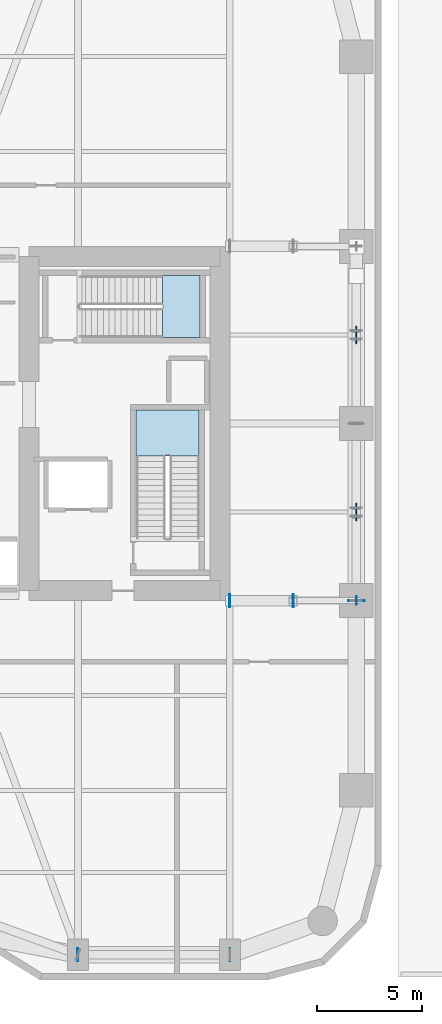
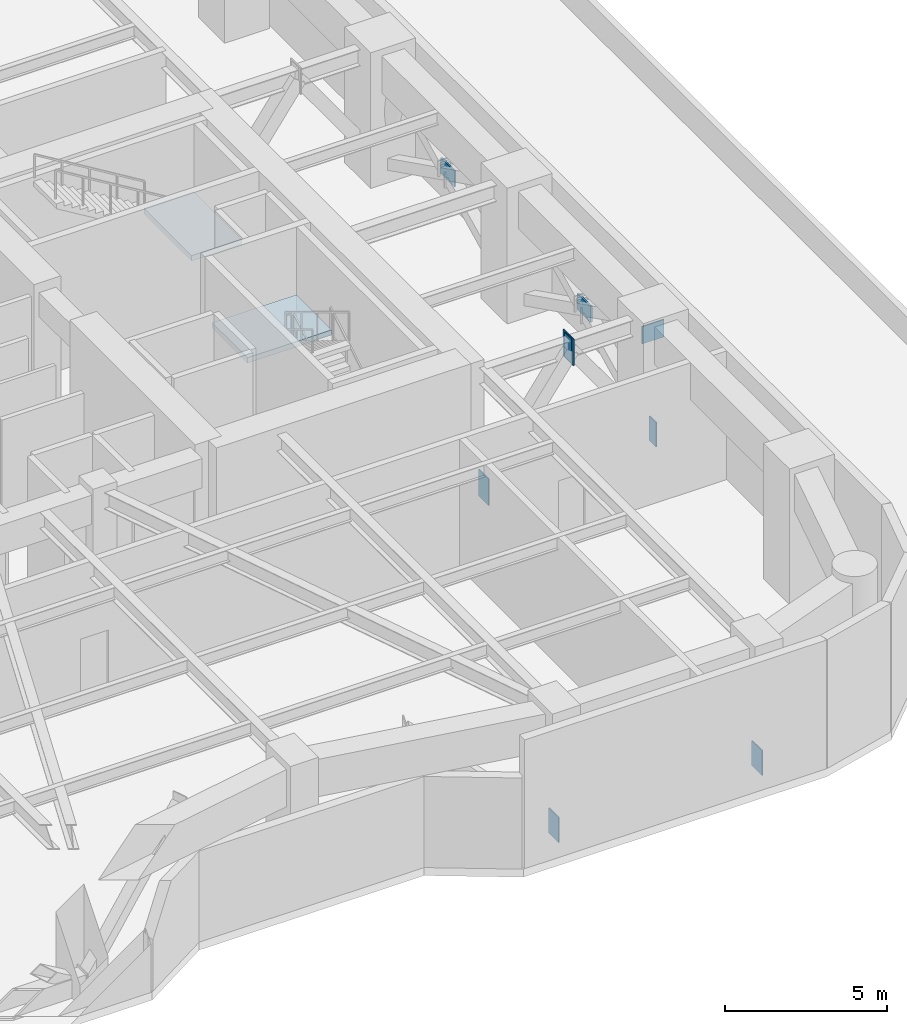
# One storey, part 5 of 16: 9 plates, 2 slabs, 2 elements without a shape of their own.
"""IFC4 building model written with IfcOpenShell, lengths in metres."""

from ifc_helpers import new_model, si_unit, direction, frame, origin, origin_2d, place, context, subcontext, project, spatial, polyline, rectangle, outline, extrude, material, layer, layer_set, type_object, element, aggregate, save


model = new_model("IFC4")

# Units and contexts
model_context = context("Model", 3, precision=1e-05, world=origin(), true_north=direction((0.0, 1.0)))
body_context = subcontext(model_context, "Body", "Model", "MODEL_VIEW")
ifc_project = project(units=[si_unit("LENGTHUNIT", "METRE"), si_unit("AREAUNIT", "SQUARE_METRE"), si_unit("VOLUMEUNIT", "CUBIC_METRE"), si_unit("PLANEANGLEUNIT", "RADIAN"), si_unit("MASSUNIT", "GRAM", prefix="KILO")], contexts=[model_context])

# Site, building, storey
site_placement = place(None, origin())
site = spatial("IfcSite", under=ifc_project, at=site_placement, CompositionType="ELEMENT")
building_placement = place(site_placement, origin())
building = spatial("IfcBuilding", under=site, at=building_placement, Name="Kiyonajd Concourse Tower", CompositionType="ELEMENT")
storey_placement = place(building_placement, frame((0.0, 0.0, 80.699951171875)))
storey = spatial("IfcBuildingStorey", under=building, at=storey_placement, Name="L21", CompositionType="ELEMENT", Elevation=80.699951171875)

# Plates
ifc_material_1 = material(Name="Steel ASTM A572 Grade 50", Category="steel")
ifc_layer_1 = layer(ifc_material_1, 0.031982421875)
ifc_layer_set_1 = layer_set([ifc_layer_1], Name="Steel ASTM A572 Grade 50")
plate_type_1 = type_object("IfcPlateType", Name="PL-CAP-540", PredefinedType="USERDEFINED", material=ifc_layer_set_1)
for number, where, z_axis, x_axis, name in (
    (1, (63.593505859375, 27.60009765625, -0.208251953125), (0.0, 0.0, 1.0), (-1.0, 0.0, 0.0), "L21 Outrigger End Cap Plate 05"),
    (2, (66.6064453125, 27.60009765625, 3.99951171875), (0.0, 0.0, 1.0), (1.0, 0.0, 0.0), "L21 Outrigger Far End Cap Plate 05"),
):
    element("IfcPlate", number, at=place(storey_placement, frame(where, z_axis=z_axis, x_axis=x_axis)), inside=storey, type_object=plate_type_1, Name=name, ObjectType="CAP PLATE", PredefinedType="USERDEFINED", context=body_context, shape_type="SweptSolid", body=[
        extrude(rectangle(XDim=0.035888671875, YDim=0.6201171875, at=origin_2d()), origin(), (0.0, 0.0, 1.0), 0.9990234375),
    ])
for number, where, z_axis, x_axis, name in (
    (3, (66.593505859375, 27.60009765625, 4.04248046875), (0.0, 0.0, 1.0), (-1.0, 0.0, 0.0), "L21 Outrigger End Cap Plate 06"),
    (4, (69.6064453125, 27.60009765625, -0.165283203125), (0.0, 0.0, 1.0), (1.0, 0.0, 0.0), "L21 Outrigger Far End Cap Plate 06"),
):
    element("IfcPlate", number, at=place(storey_placement, frame(where, z_axis=z_axis, x_axis=x_axis)), inside=storey, type_object=plate_type_1, Name=name, ObjectType="CAP PLATE", PredefinedType="USERDEFINED", context=body_context, shape_type="SweptSolid", body=[
        extrude(rectangle(XDim=0.035888671875, YDim=0.419921875, at=origin_2d()), origin(), (0.0, 0.0, 1.0), 0.9130859375),
    ])
for number, where, z_axis, x_axis, name in (
    (5, (56.388916015625, 10.800048828125, -0.169921875), (0.0, 0.0, 1.0), (-1.0, 0.0, 0.0), "L21 Belt Chord Cap Plate"),
    (6, (63.611083984375, 10.800048828125, -0.169921875), (0.0, 0.0, 1.0), (1.0, 0.0, 0.0), "L21 Belt Chord Cap Plate"),
):
    element("IfcPlate", number, at=place(storey_placement, frame(where, z_axis=z_axis, x_axis=x_axis)), inside=storey, type_object=plate_type_1, Name=name, ObjectType="CAP PLATE", PredefinedType="USERDEFINED", context=body_context, shape_type="SweptSolid", body=[
        extrude(rectangle(XDim=0.035888671875, YDim=0.6201171875, at=origin_2d()), origin(), (0.0, 0.0, 1.0), 0.93994140625),
    ])
ifc_layer_2 = layer(ifc_material_1, 0.64990234375)
ifc_layer_set_2 = layer_set([ifc_layer_2], Name="Steel ASTM A572 Grade 50")
plate_type_2 = type_object("IfcPlateType", Name="PL-GUS-TN1", PredefinedType="USERDEFINED", material=ifc_layer_set_2)
plate_placement = place(storey_placement, frame((69.60009765625, 27.60009765625, 3.72509765625), z_axis=(0.0, 0.0, 1.0), x_axis=(1.0, 0.0, 0.0)))
element("IfcPlate", 7, at=plate_placement, inside=storey, type_object=plate_type_2, Name="Structural Node Assembly Gusset TN1", ObjectType="GUSSET PLATE", PredefinedType="USERDEFINED", context=body_context, shape_type="SweptSolid", body=[
    extrude(rectangle(XDim=0.780029296875, YDim=0.044921875, at=origin_2d()), origin(), (0.0, 0.0, 1.0), 0.64990234375),
])
ifc_layer_3 = layer(ifc_material_1, 0.06005859375)
ifc_layer_set_3 = layer_set([ifc_layer_3], Name="Steel ASTM A572 Grade 50")
plate_type_3 = type_object("IfcPlateType", Name="PL-XNODE-60", PredefinedType="USERDEFINED", material=ifc_layer_set_3)
for number, where, z_axis, x_axis, name in (
    (8, (69.60009765625, 31.800048828125, 2.094970703125), (0.0, 0.0, 1.0), (1.0, 0.0, 0.0), "L21 Belt Truss X Brace Crossing Gusset Plate XN1 E1"),
    (9, (69.60009765625, 40.199951171875, 2.094970703125), (0.0, 0.0, 1.0), (1.0, 0.0, 0.0), "L21 Belt Truss X Brace Crossing Gusset Plate XN1 E2"),
):
    element("IfcPlate", number, at=place(storey_placement, frame(where, z_axis=z_axis, x_axis=x_axis)), inside=storey, type_object=plate_type_3, Name=name, ObjectType="GUSSET PLATE", PredefinedType="USERDEFINED", context=body_context, shape_type="SweptSolid", body=[
        extrude(rectangle(XDim=0.06005859375, YDim=0.840087890625, at=origin_2d()), origin(), (0.0, 0.0, 1.0), 0.60009765625),
    ])

# Stair, slab
ifc_material_2 = material(Name="Concrete C40/50", Category="concrete")
stair_type = type_object("IfcStairType", Name="ST-DLG-30R", PredefinedType="HALF_TURN_STAIR", material=ifc_material_2)
stair_1_placement = place(storey_placement, origin())
stair_1 = element("IfcStair", 10, at=stair_1_placement, inside=storey, type_object=stair_type, Name="L21 Protected Exit Stair ST2", PredefinedType="HALF_TURN_STAIR")
ifc_layer_4 = layer(ifc_material_2, 0.199951171875)
ifc_layer_set_4 = layer_set([ifc_layer_4], Name="Concrete C40/50")
slab_type = type_object("IfcSlabType", Name="SL-LND-200", PredefinedType="LANDING", material=ifc_layer_set_4)
slab_1_placement = place(storey_placement, frame((0.0, 0.0, 2.35009765625)))
slab_1 = element("IfcSlab", 11, at=slab_1_placement, type_object=slab_type, Name="ST2 landing 1", PredefinedType="LANDING", context=body_context, shape_type="SweptSolid", body=[
    extrude(outline(polyline([(62.14990234375, 34.469970703125), (62.14990234375, 36.64990234375), (59.14990234375, 36.64990234375), (59.14990234375, 34.469970703125), (62.14990234375, 34.469970703125)])), origin(), (0.0, 0.0, 1.0), 0.199951171875),
])
aggregate(stair_1, [slab_1])

stair_2_placement = place(storey_placement, origin())
stair_2 = element("IfcStair", 12, at=stair_2_placement, inside=storey, type_object=stair_type, Name="L21 Protected Exit Stair ST3", PredefinedType="HALF_TURN_STAIR")
slab_2_placement = place(storey_placement, frame((0.0, 0.0, 2.35009765625)))
slab_2 = element("IfcSlab", 13, at=slab_2_placement, type_object=slab_type, Name="ST3 landing 1", PredefinedType="LANDING", context=body_context, shape_type="SweptSolid", body=[
    extrude(outline(polyline([(60.39990234375, 40.080078125), (62.179931640625, 40.080078125), (62.179931640625, 43.02001953125), (60.39990234375, 43.02001953125), (60.39990234375, 40.080078125)])), origin(), (0.0, 0.0, 1.0), 0.199951171875),
])
aggregate(stair_2, [slab_2])

save(model, "model.ifc")
